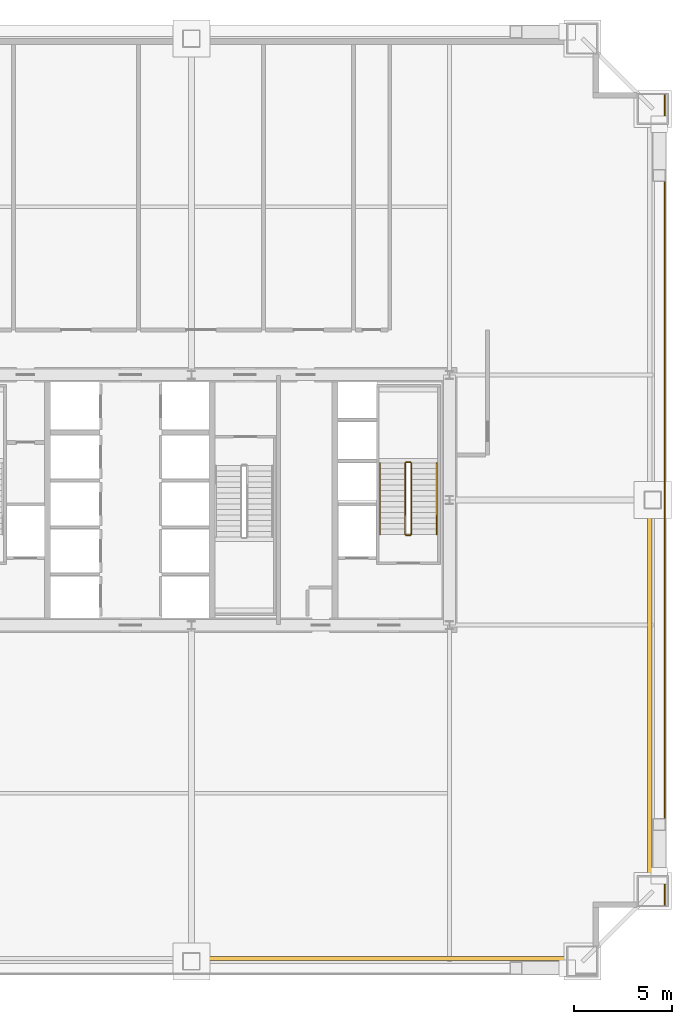
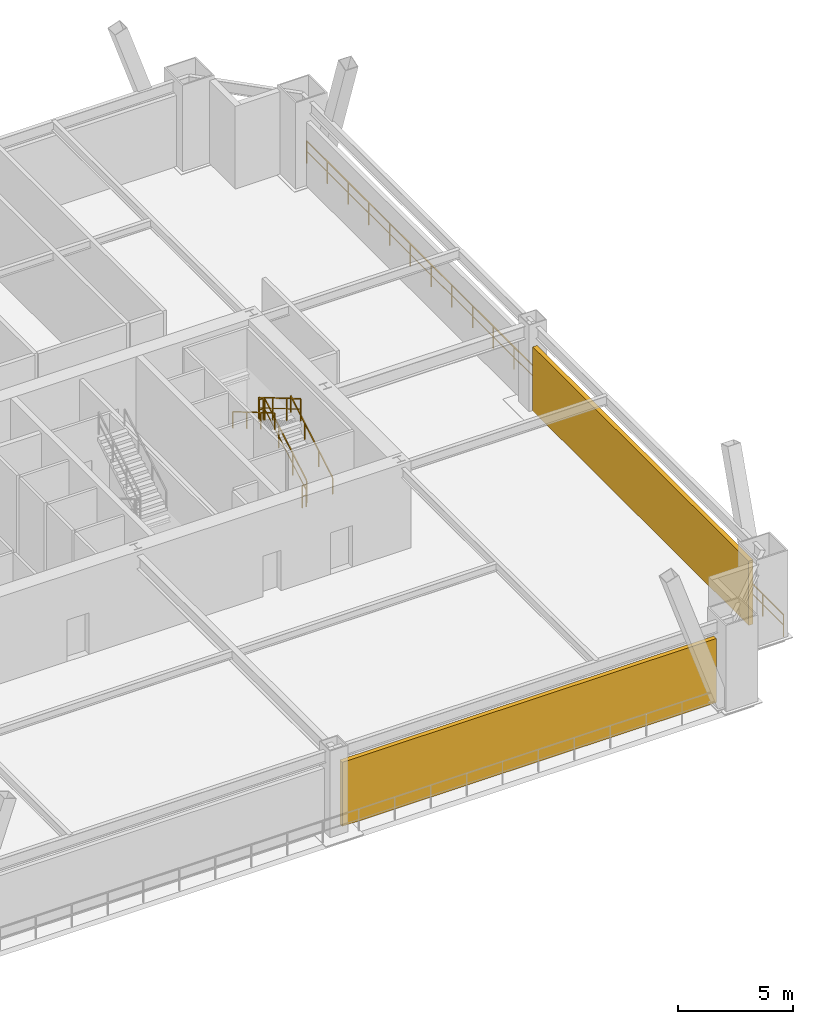
# One storey, part 8 of 9: 7 railings, 2 shading devices.
"""IFC4 building model written with IfcOpenShell, lengths in metres."""

from ifc_helpers import new_model, si_unit, direction, frame, origin, origin_2d, place, context, subcontext, project, spatial, rectangle, extrude, source, transform, mapped, material, layer, layer_set, type_object, element, save


model = new_model("IFC4")

# Units and contexts
model_context = context("Model", 3, precision=1e-05, world=origin(), true_north=direction((0.0, 1.0)))
body_context = subcontext(model_context, "Body", "Model", "MODEL_VIEW")
ifc_project = project(units=[si_unit("LENGTHUNIT", "METRE"), si_unit("AREAUNIT", "SQUARE_METRE"), si_unit("VOLUMEUNIT", "CUBIC_METRE"), si_unit("PLANEANGLEUNIT", "RADIAN"), si_unit("MASSUNIT", "GRAM", prefix="KILO"), si_unit("THERMODYNAMICTEMPERATUREUNIT", "KELVIN"), si_unit("POWERUNIT", "WATT")], contexts=[model_context])

# Site, building, storey
site_placement = place(None, origin())
site = spatial("IfcSite", under=ifc_project, at=site_placement, CompositionType="ELEMENT")
building_placement = place(site_placement, origin())
building = spatial("IfcBuilding", under=site, at=building_placement, Name="Yuzanri Waterfront Tower", CompositionType="ELEMENT")
storey_placement = place(building_placement, frame((0.0, 0.0, 85.60009765625)))
storey = spatial("IfcBuildingStorey", under=building, at=storey_placement, Name="L22", CompositionType="ELEMENT", Elevation=85.60009765625)

# Shading devices
ifc_material_1 = material(Name="Anodized Architectural Bronze", Category="metal")
ifc_layer_1 = layer(ifc_material_1, 0.219970703125)
ifc_layer_set_1 = layer_set([ifc_layer_1], Name="Anodized Architectural Bronze")
shading_device_type = type_object("IfcShadingDeviceType", Name="Anodized Bronze Refuge Wind-Diffusing Louvre Screen 220", PredefinedType="USERDEFINED", material=ifc_layer_set_1)
shared_shape_1 = source(origin(), body_context, "Body", "SweptSolid", [
    extrude(rectangle(XDim=18.75, YDim=0.219970703125, at=origin_2d()), origin(), (0.0, 0.0, 1.0), 3.39990234375),
])
shading_device_1_placement = place(storey_placement, frame((46.824951171875, 2.35009765625, 0.0), z_axis=(0.0, 0.0, 1.0), x_axis=(1.0, 0.0, 0.0)))
element("IfcShadingDevice", 1, at=shading_device_1_placement, inside=storey, type_object=shading_device_type, Name="L22 Wind-Diffusing Refuge Louvre SR", ObjectType="LOUVRE", PredefinedType="USERDEFINED", context=body_context, shape_type="MappedRepresentation", body=[
    mapped(shared_shape_1, transform((0.0, 0.0, 0.0), scale=1.0)),
])
shared_shape_2 = source(origin(), body_context, "Body", "SweptSolid", [
    extrude(rectangle(XDim=0.219970703125, YDim=18.75, at=origin_2d()), origin(), (0.0, 0.0, 1.0), 3.39990234375),
])
shading_device_2_placement = place(storey_placement, frame((60.449951171875, 15.97509765625, 0.0), z_axis=(0.0, 0.0, 1.0), x_axis=(1.0, 0.0, 0.0)))
element("IfcShadingDevice", 2, at=shading_device_2_placement, inside=storey, type_object=shading_device_type, Name="L22 Wind-Diffusing Refuge Louvre EL", ObjectType="LOUVRE", PredefinedType="USERDEFINED", context=body_context, shape_type="MappedRepresentation", body=[
    mapped(shared_shape_2, transform((0.0, 0.0, 0.0), scale=1.0)),
])

# Railings
ifc_material_2 = material(Name="Anodized Architectural Bronze", Category="metal")
ifc_layer_2 = layer(ifc_material_2, 0.080078125)
ifc_layer_set_2 = layer_set([ifc_layer_2], Name="Anodized Architectural Bronze")
railing_type_1 = type_object("IfcRailingType", Name="Laminated Glass and Bronze Balcony Guardrail 1200", PredefinedType="BALUSTRADE", material=ifc_layer_set_2)
shared_shape_3 = source(origin(), body_context, "Body", "SweptSolid", [
    extrude(rectangle(XDim=0.050048828125, YDim=0.050048828125, at=origin_2d()), frame((0.0, 0.0, 1.1748046875), z_axis=(0.0, 1.0, 0.0), x_axis=(-1.0, 0.0, 0.0)), (0.0, 0.0, 1.0), 41.39990234375),
    extrude(rectangle(XDim=0.035888671875, YDim=0.030029296875, at=origin_2d()), frame((0.0, 0.0, 0.6240234375), z_axis=(0.0, 1.0, 0.0), x_axis=(-1.0, 0.0, 0.0)), (0.0, 0.0, 1.0), 41.39990234375),
    extrude(rectangle(XDim=0.0458984375, YDim=0.0458984375, at=origin_2d()), origin(), (0.0, 0.0, 1.0), 1.14990234375),
    extrude(rectangle(XDim=0.0458984375, YDim=0.0458984375, at=origin_2d()), frame((0.0, 1.800048828125, 0.0)), (0.0, 0.0, 1.0), 1.14990234375),
    extrude(rectangle(XDim=0.0458984375, YDim=0.0458984375, at=origin_2d()), frame((0.0, 3.60009765625, 0.0)), (0.0, 0.0, 1.0), 1.14990234375),
    extrude(rectangle(XDim=0.0458984375, YDim=0.0458984375, at=origin_2d()), frame((0.0, 5.39990234375, 0.0)), (0.0, 0.0, 1.0), 1.14990234375),
    extrude(rectangle(XDim=0.0458984375, YDim=0.0458984375, at=origin_2d()), frame((0.0, 7.199951171875, 0.0)), (0.0, 0.0, 1.0), 1.14990234375),
    extrude(rectangle(XDim=0.0458984375, YDim=0.0458984375, at=origin_2d()), frame((0.0, 9.0, 0.0)), (0.0, 0.0, 1.0), 1.14990234375),
    extrude(rectangle(XDim=0.0458984375, YDim=0.0458984375, at=origin_2d()), frame((0.0, 10.800048828125, 0.0)), (0.0, 0.0, 1.0), 1.14990234375),
    extrude(rectangle(XDim=0.0458984375, YDim=0.0458984375, at=origin_2d()), frame((0.0, 12.599853515625, 0.0)), (0.0, 0.0, 1.0), 1.14990234375),
    extrude(rectangle(XDim=0.0458984375, YDim=0.0458984375, at=origin_2d()), frame((0.0, 14.39990234375, 0.0)), (0.0, 0.0, 1.0), 1.14990234375),
    extrude(rectangle(XDim=0.0458984375, YDim=0.0458984375, at=origin_2d()), frame((0.0, 16.199951171875, 0.0)), (0.0, 0.0, 1.0), 1.14990234375),
    extrude(rectangle(XDim=0.0458984375, YDim=0.0458984375, at=origin_2d()), frame((0.0, 18.0, 0.0)), (0.0, 0.0, 1.0), 1.14990234375),
    extrude(rectangle(XDim=0.0458984375, YDim=0.0458984375, at=origin_2d()), frame((0.0, 19.800048828125, 0.0)), (0.0, 0.0, 1.0), 1.14990234375),
    extrude(rectangle(XDim=0.0458984375, YDim=0.0458984375, at=origin_2d()), frame((0.0, 21.599853515625, 0.0)), (0.0, 0.0, 1.0), 1.14990234375),
    extrude(rectangle(XDim=0.0458984375, YDim=0.0458984375, at=origin_2d()), frame((0.0, 23.39990234375, 0.0)), (0.0, 0.0, 1.0), 1.14990234375),
    extrude(rectangle(XDim=0.0458984375, YDim=0.0458984375, at=origin_2d()), frame((0.0, 25.199951171875, 0.0)), (0.0, 0.0, 1.0), 1.14990234375),
    extrude(rectangle(XDim=0.0458984375, YDim=0.0458984375, at=origin_2d()), frame((0.0, 27.0, 0.0)), (0.0, 0.0, 1.0), 1.14990234375),
    extrude(rectangle(XDim=0.0458984375, YDim=0.0458984375, at=origin_2d()), frame((0.0, 28.800048828125, 0.0)), (0.0, 0.0, 1.0), 1.14990234375),
    extrude(rectangle(XDim=0.0458984375, YDim=0.0458984375, at=origin_2d()), frame((0.0, 30.599853515625, 0.0)), (0.0, 0.0, 1.0), 1.14990234375),
    extrude(rectangle(XDim=0.0458984375, YDim=0.0458984375, at=origin_2d()), frame((0.0, 32.39990234375, 0.0)), (0.0, 0.0, 1.0), 1.14990234375),
    extrude(rectangle(XDim=0.0458984375, YDim=0.0458984375, at=origin_2d()), frame((0.0, 34.199951171875, 0.0)), (0.0, 0.0, 1.0), 1.14990234375),
    extrude(rectangle(XDim=0.0458984375, YDim=0.0458984375, at=origin_2d()), frame((0.0, 36.0, 0.0)), (0.0, 0.0, 1.0), 1.14990234375),
    extrude(rectangle(XDim=0.0458984375, YDim=0.0458984375, at=origin_2d()), frame((0.0, 37.7998046875, 0.0)), (0.0, 0.0, 1.0), 1.14990234375),
    extrude(rectangle(XDim=0.0458984375, YDim=0.0458984375, at=origin_2d()), frame((0.0, 39.599853515625, 0.0)), (0.0, 0.0, 1.0), 1.14990234375),
    extrude(rectangle(XDim=0.0458984375, YDim=0.0458984375, at=origin_2d()), frame((0.0, 41.39990234375, 0.0)), (0.0, 0.0, 1.0), 1.14990234375),
])
railing_1_placement = place(storey_placement, frame((61.219970703125, 5.10009765625, 0.0)))
element("IfcRailing", 3, at=railing_1_placement, inside=storey, type_object=railing_type_1, Name="L22 East Refuge Edge Guard", PredefinedType="BALUSTRADE", context=body_context, shape_type="MappedRepresentation", body=[
    mapped(shared_shape_3, transform((0.0, 0.0, 0.0), scale=1.0)),
])
ifc_material_3 = material(Name="Painted Galvanized Fire Steel", Category="steel")
ifc_layer_3 = layer(ifc_material_3, 0.06005859375)
ifc_layer_set_3 = layer_set([ifc_layer_3], Name="Painted Galvanized Fire Steel")
railing_type_2 = type_object("IfcRailingType", Name="Painted Steel Stairwell Guardrail 1120", PredefinedType="GUARDRAIL", material=ifc_layer_set_3)
shared_shape_4 = source(origin(), body_context, "Body", "SweptSolid", [
    extrude(rectangle(XDim=0.050048828125, YDim=0.050048828125, at=origin_2d()), frame((0.0, 0.0, 1.1748046875), z_axis=(-1.0, 0.0, 0.0), x_axis=(0.0, -1.0, 0.0)), (0.0, 0.0, 1.0), 0.199951171875),
    extrude(rectangle(XDim=0.035888671875, YDim=0.030029296875, at=origin_2d()), frame((0.0, 0.0, 0.6240234375), z_axis=(-1.0, 0.0, 0.0), x_axis=(0.0, -1.0, 0.0)), (0.0, 0.0, 1.0), 0.199951171875),
    extrude(rectangle(XDim=0.0458984375, YDim=0.0458984375, at=origin_2d()), origin(), (0.0, 0.0, 1.0), 1.14990234375),
    extrude(rectangle(XDim=0.0458984375, YDim=0.0458984375, at=origin_2d()), frame((-0.199951171875, 0.0, 0.0)), (0.0, 0.0, 1.0), 1.14990234375),
])
for number, where, name in (
    (4, (48.199951171875, 27.72998046875, 2.2998046875), "L22 ST-02 stair guard 2"),
    (5, (48.199951171875, 23.989990234375, 0.0), "L22 ST-02 stair guard 4"),
):
    element("IfcRailing", number, at=place(storey_placement, frame(where)), inside=storey, type_object=railing_type_2, Name=name, PredefinedType="GUARDRAIL", context=body_context, shape_type="MappedRepresentation", body=[
        mapped(shared_shape_4, transform((0.0, 0.0, 0.0), scale=1.0)),
    ])
shared_shape_5 = source(origin(), body_context, "Body", "SweptSolid", [
    extrude(rectangle(XDim=0.050048828125, YDim=0.050048828125, at=origin_2d()), frame((0.0, 0.0, 1.1748046875), z_axis=(0.0, -0.862489892076, 0.506074289079), x_axis=(1.0, 0.0, 0.0)), (0.0, 0.0, 1.0), 4.22021484375),
    extrude(rectangle(XDim=0.035888671875, YDim=0.030029296875, at=origin_2d()), frame((0.0, 0.0, 0.6240234375), z_axis=(0.0, -0.862489892076, 0.506074289079), x_axis=(1.0, 0.0, 0.0)), (0.0, 0.0, 1.0), 4.22021484375),
    extrude(rectangle(XDim=0.0458984375, YDim=0.0458984375, at=origin_2d()), origin(), (0.0, 0.0, 1.0), 1.14990234375),
    extrude(rectangle(XDim=0.0458984375, YDim=0.0458984375, at=origin_2d()), frame((0.0, -1.21337890625, 0.7119140625)), (0.0, 0.0, 1.0), 1.14990234375),
    extrude(rectangle(XDim=0.0458984375, YDim=0.0458984375, at=origin_2d()), frame((0.0, -2.426513671875, 1.423828125)), (0.0, 0.0, 1.0), 1.14990234375),
    extrude(rectangle(XDim=0.0458984375, YDim=0.0458984375, at=origin_2d()), frame((0.0, -3.639892578125, 2.1357421875)), (0.0, 0.0, 1.0), 1.14990234375),
])
railing_2_placement = place(storey_placement, frame((47.949951171875, 27.679931640625, 2.464111328125)))
element("IfcRailing", 6, at=railing_2_placement, inside=storey, type_object=railing_type_2, Name="L22 ST-02 stair guard 3", PredefinedType="GUARDRAIL", context=body_context, shape_type="MappedRepresentation", body=[
    mapped(shared_shape_5, transform((0.0, 0.0, 0.0), scale=1.0)),
])
ifc_material_4 = material(Name="Anodized Architectural Bronze", Category="metal")
ifc_layer_4 = layer(ifc_material_4, 0.050048828125)
ifc_layer_set_4 = layer_set([ifc_layer_4], Name="Anodized Architectural Bronze")
railing_type_3 = type_object("IfcRailingType", Name="Brushed Bronze Stair Pitch Handrail 920", PredefinedType="HANDRAIL", material=ifc_layer_set_4)
shared_shape_6 = source(origin(), body_context, "Body", "SweptSolid", [
    extrude(rectangle(XDim=0.050048828125, YDim=0.050048828125, at=origin_2d()), frame((0.0, 0.0, 0.875), z_axis=(0.0, -0.862489892076, 0.506074289079), x_axis=(1.0, 0.0, 0.0)), (0.0, 0.0, 1.0), 4.22021484375),
    extrude(rectangle(XDim=0.0458984375, YDim=0.0458984375, at=origin_2d()), origin(), (0.0, 0.0, 1.0), 0.849853515625),
    extrude(rectangle(XDim=0.0458984375, YDim=0.0458984375, at=origin_2d()), frame((0.0, -1.21337890625, 0.7119140625)), (0.0, 0.0, 1.0), 0.849853515625),
    extrude(rectangle(XDim=0.0458984375, YDim=0.0458984375, at=origin_2d()), frame((0.0, -2.426513671875, 1.423828125)), (0.0, 0.0, 1.0), 0.849853515625),
    extrude(rectangle(XDim=0.0458984375, YDim=0.0458984375, at=origin_2d()), frame((0.0, -3.639892578125, 2.1357421875)), (0.0, 0.0, 1.0), 0.849853515625),
])
railing_3_placement = place(storey_placement, frame((46.64990234375, 27.679931640625, 2.464111328125)))
element("IfcRailing", 7, at=railing_3_placement, inside=storey, type_object=railing_type_3, Name="L22 ST-02 stair handrail 2", PredefinedType="HANDRAIL", context=body_context, shape_type="MappedRepresentation", body=[
    mapped(shared_shape_6, transform((0.0, 0.0, 0.0), scale=1.0)),
])
shared_shape_7 = source(origin(), body_context, "Body", "SweptSolid", [
    extrude(rectangle(XDim=0.050048828125, YDim=0.050048828125, at=origin_2d()), frame((0.0, 0.0, 1.1748046875), z_axis=(0.0, 0.862515142463, 0.50603125301), x_axis=(-1.0, 0.0, 0.0)), (0.0, 0.0, 1.0), 4.219970703125),
    extrude(rectangle(XDim=0.035888671875, YDim=0.030029296875, at=origin_2d()), frame((0.0, 0.0, 0.6240234375), z_axis=(0.0, 0.862515142463, 0.50603125301), x_axis=(-1.0, 0.0, 0.0)), (0.0, 0.0, 1.0), 4.219970703125),
    extrude(rectangle(XDim=0.0458984375, YDim=0.0458984375, at=origin_2d()), origin(), (0.0, 0.0, 1.0), 1.14990234375),
    extrude(rectangle(XDim=0.0458984375, YDim=0.0458984375, at=origin_2d()), frame((0.0, 1.21337890625, 0.7119140625)), (0.0, 0.0, 1.0), 1.14990234375),
    extrude(rectangle(XDim=0.0458984375, YDim=0.0458984375, at=origin_2d()), frame((0.0, 2.426513671875, 1.423583984375)), (0.0, 0.0, 1.0), 1.14990234375),
    extrude(rectangle(XDim=0.0458984375, YDim=0.0458984375, at=origin_2d()), frame((0.0, 3.639892578125, 2.135498046875)), (0.0, 0.0, 1.0), 1.14990234375),
])
railing_4_placement = place(storey_placement, frame((48.25, 24.0400390625, 0.164306640625)))
element("IfcRailing", 8, at=railing_4_placement, inside=storey, type_object=railing_type_2, Name="L22 ST-02 stair guard 1", PredefinedType="GUARDRAIL", context=body_context, shape_type="MappedRepresentation", body=[
    mapped(shared_shape_7, transform((0.0, 0.0, 0.0), scale=1.0)),
])
shared_shape_8 = source(origin(), body_context, "Body", "SweptSolid", [
    extrude(rectangle(XDim=0.050048828125, YDim=0.050048828125, at=origin_2d()), frame((0.0, 0.0, 0.875), z_axis=(0.0, 0.862515142463, 0.50603125301), x_axis=(-1.0, 0.0, 0.0)), (0.0, 0.0, 1.0), 4.219970703125),
    extrude(rectangle(XDim=0.0458984375, YDim=0.0458984375, at=origin_2d()), origin(), (0.0, 0.0, 1.0), 0.849853515625),
    extrude(rectangle(XDim=0.0458984375, YDim=0.0458984375, at=origin_2d()), frame((0.0, 1.21337890625, 0.7119140625)), (0.0, 0.0, 1.0), 0.849853515625),
    extrude(rectangle(XDim=0.0458984375, YDim=0.0458984375, at=origin_2d()), frame((0.0, 2.426513671875, 1.423583984375)), (0.0, 0.0, 1.0), 0.849853515625),
    extrude(rectangle(XDim=0.0458984375, YDim=0.0458984375, at=origin_2d()), frame((0.0, 3.639892578125, 2.135498046875)), (0.0, 0.0, 1.0), 0.849853515625),
])
railing_5_placement = place(storey_placement, frame((49.550048828125, 24.0400390625, 0.164306640625)))
element("IfcRailing", 9, at=railing_5_placement, inside=storey, type_object=railing_type_3, Name="L22 ST-02 stair handrail 1", PredefinedType="HANDRAIL", context=body_context, shape_type="MappedRepresentation", body=[
    mapped(shared_shape_8, transform((0.0, 0.0, 0.0), scale=1.0)),
])

save(model, "model.ifc")
